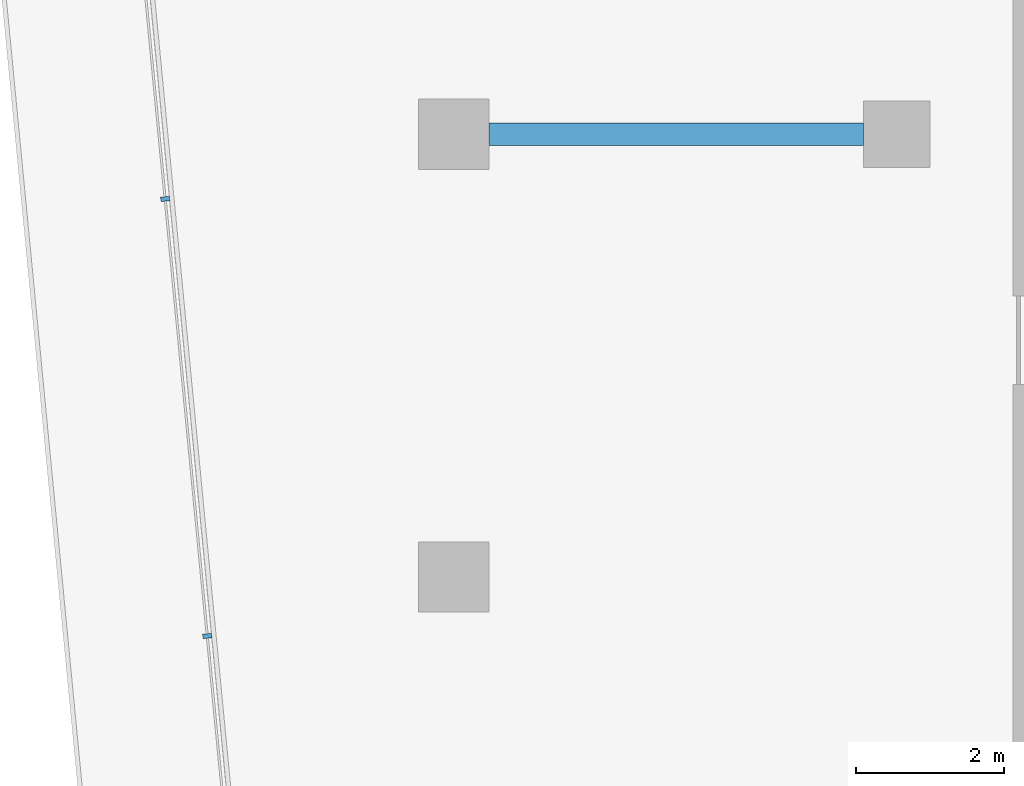
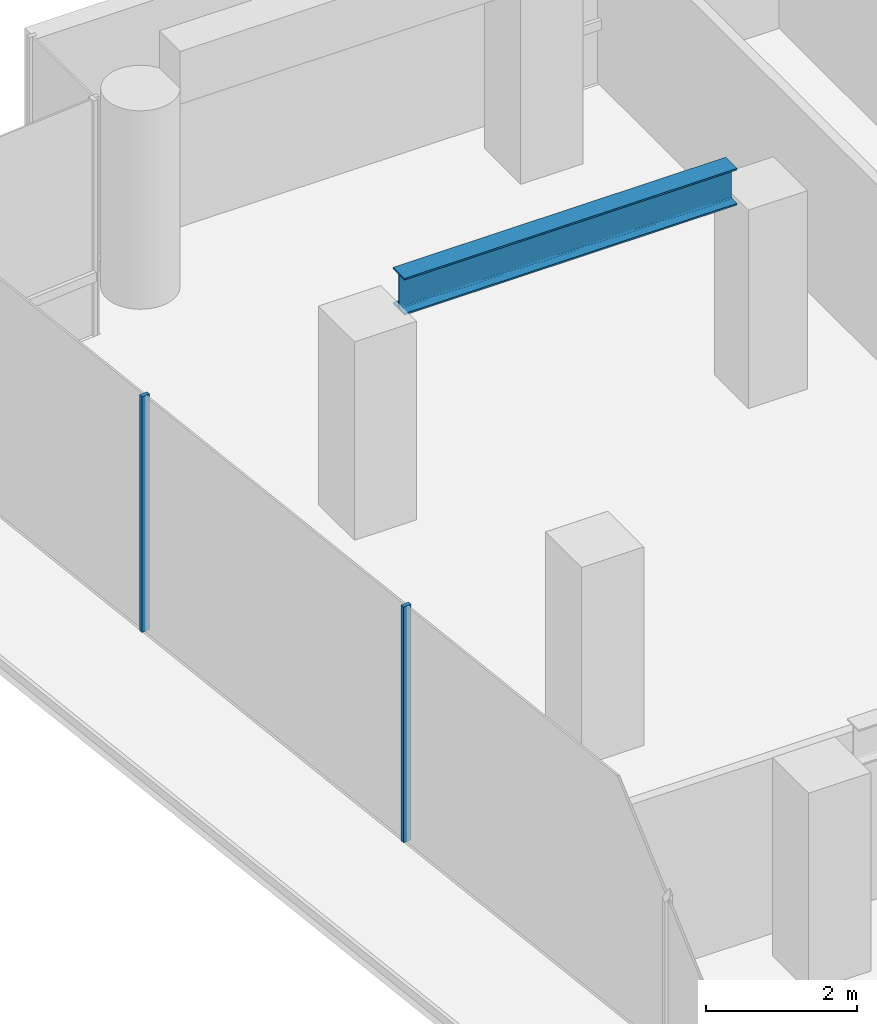
# One storey, part 12 of 22: 2 members, 1 beam, 1 element without a shape of its own.
"""IFC4 building model written with IfcOpenShell, lengths in metres."""

import ifcopenshell
import ifcopenshell.guid

model = None  # the IFC model being written
_history = None  # IfcOwnerHistory: only IFC2X3 demands one
_inside = {}  # id of a spatial element -> (the spatial element, [elements in it])
_under = {}  # id of a project, library or spatial element -> (it, [spatial elements below it])
_declared = {}  # id of a project -> (the project, [libraries it declares])
_typed = {}  # id of a type object -> (the type object, [elements of that type])
_made_of = {}  # id of a material, layer set ... -> (it, [elements and type objects made of it])


def new_model(schema):
    """Start an empty IFC model of exactly this schema.

    Asked for "IFC4X3", IfcOpenShell would pick the latest addendum, in which some entities
    have other attributes; the version numbers below select the first issue.
    IFC2X3 requires an IfcOwnerHistory on every rooted entity: one is made here for all.
    """
    global model, _history
    if schema == "IFC4X3":
        model = ifcopenshell.file(schema_version=(4, 3, 0, 0))
    else:
        model = ifcopenshell.file(schema=schema)
    _inside.clear()
    _under.clear()
    _declared.clear()
    _typed.clear()
    _made_of.clear()
    _history = None
    if model.schema == "IFC2X3":
        org = make("IfcOrganization", Name="unknown")
        user = make(
            "IfcPersonAndOrganization",
            ThePerson=make("IfcPerson", FamilyName="unknown"),
            TheOrganization=org,
        )
        app = make(
            "IfcApplication",
            ApplicationDeveloper=org,
            Version="unknown",
            ApplicationFullName="unknown",
            ApplicationIdentifier="unknown",
        )
        _history = make(
            "IfcOwnerHistory",
            OwningUser=user,
            OwningApplication=app,
            ChangeAction="ADDED",
            CreationDate=0,
        )
    return model


def make(cls, **values):
    """One entity of the class cls with the attributes given. An attribute that is None is left unset."""
    return model.create_entity(
        cls, **{name: value for name, value in values.items() if value is not None}
    )


def rooted(cls, **values):
    """An entity with a GlobalId (a new one), such as an element, a storey or a relation."""
    return make(cls, GlobalId=ifcopenshell.guid.new(), OwnerHistory=_history, **values)


def si_unit(unit_type, name, prefix=None):
    """IfcSIUnit, for example si_unit("LENGTHUNIT", "METRE", prefix="MILLI")."""
    return make("IfcSIUnit", UnitType=unit_type, Prefix=prefix, Name=name)


def assignment(units):
    """IfcUnitAssignment: the units of a project."""
    return None if units is None else make("IfcUnitAssignment", Units=units)


def point(xyz):
    """IfcCartesianPoint."""
    return None if xyz is None else make("IfcCartesianPoint", Coordinates=xyz)


def direction(xyz):
    """IfcDirection."""
    return None if xyz is None else make("IfcDirection", DirectionRatios=xyz)


def frame(location, z_axis=None, x_axis=None):
    """IfcAxis2Placement3D, a coordinate frame: its origin and axes. An axis left out is left unset."""
    return make(
        "IfcAxis2Placement3D",
        Location=point(location),
        Axis=direction(z_axis),
        RefDirection=direction(x_axis),
    )


def frame_2d(location, x_axis=None):
    """IfcAxis2Placement2D, a coordinate frame in the plane: its origin and x axis."""
    return make(
        "IfcAxis2Placement2D", Location=point(location), RefDirection=direction(x_axis)
    )


def origin():
    """The frame at (0, 0, 0) with its axes left unset."""
    return frame((0.0, 0.0, 0.0))


def origin_2d():
    """The frame at (0, 0) in the plane with its x axis left unset."""
    return frame_2d((0.0, 0.0))


def place(relative_to, where):
    """IfcLocalPlacement: puts the frame where relative to a parent placement (None: the world)."""
    return make(
        "IfcLocalPlacement", PlacementRelTo=relative_to, RelativePlacement=where
    )


def context(
    kind, dimensions, precision=None, world=None, true_north=None, identifier=None
):
    """IfcGeometricRepresentationContext, for example the 3D "Model" context."""
    return make(
        "IfcGeometricRepresentationContext",
        ContextIdentifier=identifier,
        ContextType=kind,
        CoordinateSpaceDimension=dimensions,
        Precision=precision,
        WorldCoordinateSystem=world,
        TrueNorth=true_north,
    )


def subcontext(parent, identifier, kind, view, scale=None):
    """IfcGeometricRepresentationSubContext, for example "Body" below "Model"."""
    return make(
        "IfcGeometricRepresentationSubContext",
        ContextIdentifier=identifier,
        ContextType=kind,
        ParentContext=parent,
        TargetScale=scale,
        TargetView=view,
    )


def project(units=None, contexts=None):
    """IfcProject with its units and contexts."""
    return rooted(
        "IfcProject",
        Name="project",
        RepresentationContexts=contexts,
        UnitsInContext=assignment(units),
    )


def spatial(cls, under=None, at=None, **own):
    """A site, building, storey or space (cls), placed at a placement, below another one or the project."""
    s = rooted(cls, ObjectPlacement=at, **own)
    if under is not None:
        _under.setdefault(under.id(), (under, []))[1].append(s)
    return s


def profile(cls, at=None, kind="AREA", **sizes):
    """A parametric profile (cls). Its sizes go by their IFC names, for example OverallWidth=200.0."""
    return make(cls, ProfileType=kind, Position=at, **sizes)


def rectangle(**sizes):
    """IfcRectangleProfileDef."""
    return profile("IfcRectangleProfileDef", **sizes)


def i_section(**sizes):
    """IfcIShapeProfileDef."""
    return profile("IfcIShapeProfileDef", **sizes)


def extrude(swept, where, along, depth):
    """IfcExtrudedAreaSolid: the profile swept, set in the frame where, extruded along a direction by depth."""
    return make(
        "IfcExtrudedAreaSolid",
        SweptArea=swept,
        Position=where,
        ExtrudedDirection=direction(along),
        Depth=depth,
    )


def shape(context_of_items, identifier, shape_type, items):
    """IfcShapeRepresentation: the items that make up one representation, for example the "Body"."""
    return make(
        "IfcShapeRepresentation",
        ContextOfItems=context_of_items,
        RepresentationIdentifier=identifier,
        RepresentationType=shape_type,
        Items=items,
    )


def material(Name=None, Category=None):
    """IfcMaterial."""
    return make("IfcMaterial", Name=Name, Category=Category)


def layer(
    of_material, thickness, ventilated=None, Name=None, Category=None, Priority=None
):
    """IfcMaterialLayer: one layer of a wall or slab, of a material (None: an air gap)."""
    return make(
        "IfcMaterialLayer",
        Material=of_material,
        LayerThickness=thickness,
        IsVentilated=ventilated,
        Name=Name,
        Category=Category,
        Priority=Priority,
    )


def layer_set(layers, Name=None):
    """IfcMaterialLayerSet."""
    return make("IfcMaterialLayerSet", MaterialLayers=layers, LayerSetName=Name)


def material_profile(
    of_material, cross_section, Name=None, Category=None, Priority=None
):
    """IfcMaterialProfile: a cross section and its material."""
    return make(
        "IfcMaterialProfile",
        Name=Name,
        Material=of_material,
        Profile=cross_section,
        Priority=Priority,
        Category=Category,
    )


def profile_set(profiles, Name=None, composite=None):
    """IfcMaterialProfileSet."""
    return make(
        "IfcMaterialProfileSet",
        Name=Name,
        MaterialProfiles=profiles,
        CompositeProfile=composite,
    )


def made_of(thing, what):
    """Note that an element or type object is made of a material, layer set ...; save() writes the relation."""
    if what is not None:
        _made_of.setdefault(what.id(), (what, []))[1].append(thing)
    return thing


def type_object(cls, material=None, **own):
    """A type object (cls), such as IfcWallType, which elements share."""
    return made_of(rooted(cls, **own), material)


def element(
    cls,
    number,
    at=None,
    inside=None,
    cuts=None,
    type_object=None,
    material=None,
    context=None,
    identifier="Body",
    shape_type=None,
    held_by="IfcProductDefinitionShape",
    body=None,
    shapes=None,
    **own,
):
    """One element of the class cls, such as IfcWall. Its Tag is "e" and its number.

    at: its placement. inside: the storey or other place that contains it. cuts: it is an
    opening in that element (IfcRelVoidsElement). A single representation is given by context,
    identifier, shape_type and body (its items); several are given by shapes. held_by: the class
    of the entity that holds the representations. save() writes the other relations.
    """
    e = rooted(cls, Tag="e%d" % number, ObjectPlacement=at, **own)
    if body is not None:
        shapes = [shape(context, identifier, shape_type, body)]
    if shapes is not None:
        e.Representation = make(held_by, Representations=shapes)
    if inside is not None:
        _inside.setdefault(inside.id(), (inside, []))[1].append(e)
    if cuts is not None:
        rooted(
            "IfcRelVoidsElement", RelatingBuildingElement=cuts, RelatedOpeningElement=e
        )
    if type_object is not None:
        _typed.setdefault(type_object.id(), (type_object, []))[1].append(e)
    return made_of(e, material)


def aggregate(whole, parts):
    """IfcRelAggregates: a whole, such as a stair, and the parts it consists of."""
    return rooted("IfcRelAggregates", RelatingObject=whole, RelatedObjects=parts)


def save(model, path):
    """Write the relations noted so far, then the file.

    IfcRelAggregates (storeys below a building ...), IfcRelContainedInSpatialStructure (elements
    in a storey), IfcRelDefinesByType, IfcRelAssociatesMaterial and IfcRelDeclares: one each for
    every whole, place, type object, material and project.
    """
    for whole, parts in _under.values():
        aggregate(whole, parts)
    for where, things in _inside.values():
        rooted(
            "IfcRelContainedInSpatialStructure",
            RelatedElements=things,
            RelatingStructure=where,
        )
    for kind, things in _typed.values():
        rooted("IfcRelDefinesByType", RelatedObjects=things, RelatingType=kind)
    for what, things in _made_of.values():
        rooted("IfcRelAssociatesMaterial", RelatedObjects=things, RelatingMaterial=what)
    for by, libraries in _declared.values():
        rooted("IfcRelDeclares", RelatingContext=by, RelatedDefinitions=libraries)
    model.write(path)


model = new_model("IFC4")

# Units and contexts
model_context = context("Model", 3, precision=1e-05, world=origin(), true_north=direction((0.0, 1.0)))
body_context = subcontext(model_context, "Body", "Model", "MODEL_VIEW")
ifc_project = project(units=[si_unit("LENGTHUNIT", "METRE"), si_unit("AREAUNIT", "SQUARE_METRE"), si_unit("VOLUMEUNIT", "CUBIC_METRE"), si_unit("PLANEANGLEUNIT", "RADIAN"), si_unit("MASSUNIT", "GRAM", prefix="KILO")], contexts=[model_context])

# Site, building, storey
site_placement = place(None, origin())
site = spatial("IfcSite", under=ifc_project, at=site_placement, CompositionType="ELEMENT")
building_placement = place(site_placement, origin())
building = spatial("IfcBuilding", under=site, at=building_placement, Name="Welwitschia Terrace Campus", CompositionType="ELEMENT")
storey_placement = place(building_placement, frame((0.0, 0.0, 192.800048828125)))
storey = spatial("IfcBuildingStorey", under=building, at=storey_placement, Name="L43", CompositionType="ELEMENT", Elevation=192.800048828125)

# Curtain wall, members
ifc_material_1 = material(Name="Bronze anodised aluminium", Category="aluminium")
ifc_layer = layer(ifc_material_1, 0.1201171875)
ifc_layer_set = layer_set([ifc_layer], Name="Bronze anodised aluminium")
curtain_wall_type = type_object("IfcCurtainWallType", Name="Curtain wall CW2 tower 6000", PredefinedType="NOTDEFINED", material=ifc_layer_set)
curtain_wall_placement = place(storey_placement, origin())
curtain_wall = element("IfcCurtainWall", 1, at=curtain_wall_placement, inside=storey, type_object=curtain_wall_type, Name="CW L43.0.0", PredefinedType="NOTDEFINED")
ifc_material_2 = material(Name="Bronze anodised aluminium", Category="aluminium")
ifc_material_profile_1 = material_profile(ifc_material_2, rectangle(XDim=0.1201171875, YDim=0.06005859375, at=origin_2d()))
ifc_profile_set_1 = profile_set([ifc_material_profile_1], Name="Bronze anodised aluminium")
member_type = type_object("IfcMemberType", Name="Mullion 60x120", PredefinedType="MULLION", material=ifc_profile_set_1)
member_1_placement = place(storey_placement, frame((-3.907958984375, 55.12255859375, 0.0), z_axis=(0.0, 0.0, 1.0), x_axis=(0.995396198367, 0.09584575252, 0.0)))
member_1 = element("IfcMember", 2, at=member_1_placement, type_object=member_type, Name="Mullion L43.0.0.1", PredefinedType="MULLION", context=body_context, shape_type="SweptSolid", body=[
    extrude(rectangle(XDim=0.1201171875, YDim=0.06005859375, at=origin_2d()), origin(), (0.0, 0.0, 1.0), 3.800048828125),
])
member_2_placement = place(storey_placement, frame((-3.338134765625, 49.20263671875, 0.0), z_axis=(0.0, 0.0, 1.0), x_axis=(0.995396198367, 0.09584575252, 0.0)))
member_2 = element("IfcMember", 3, at=member_2_placement, type_object=member_type, Name="Mullion L43.0.0.2", PredefinedType="MULLION", context=body_context, shape_type="SweptSolid", body=[
    extrude(rectangle(XDim=0.1201171875, YDim=0.06005859375, at=origin_2d()), origin(), (0.0, 0.0, 1.0), 3.800048828125),
])
aggregate(curtain_wall, [member_1, member_2])

# Beam
ifc_material_3 = material(Name="Steel S355", Category="steel")
ifc_material_profile_2 = material_profile(ifc_material_3, i_section(OverallWidth=0.300048828125, OverallDepth=0.590087890625, WebThickness=0.012939453125, FlangeThickness=0.02490234375, FilletRadius=0.027099609375, at=origin_2d()))
ifc_profile_set_2 = profile_set([ifc_material_profile_2], Name="Steel S355")
beam_type = type_object("IfcBeamType", Name="Primary beam HE 600 A", PredefinedType="BEAM", material=ifc_profile_set_2)
beam_placement = place(storey_placement, frame((0.4755859375, 56.0, 3.39501953125), z_axis=(1.0, 0.0, 0.0), x_axis=(0.0, 1.0, 0.0)))
element("IfcBeam", 4, at=beam_placement, inside=storey, type_object=beam_type, Name="Primary beam PB4", PredefinedType="BEAM", context=body_context, shape_type="SweptSolid", body=[
    extrude(i_section(OverallWidth=0.300048828125, OverallDepth=0.590087890625, WebThickness=0.012939453125, FlangeThickness=0.02490234375, FilletRadius=0.027099609375, at=origin_2d()), origin(), (0.0, 0.0, 1.0), 5.073974609375),
])

save(model, "model.ifc")
